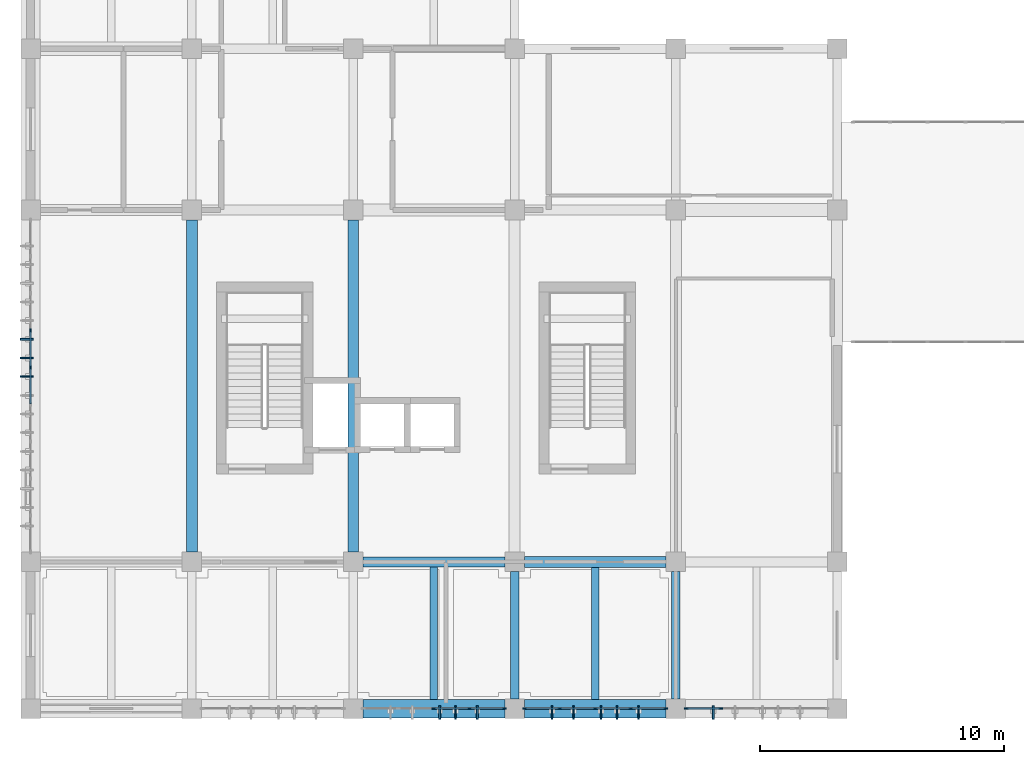
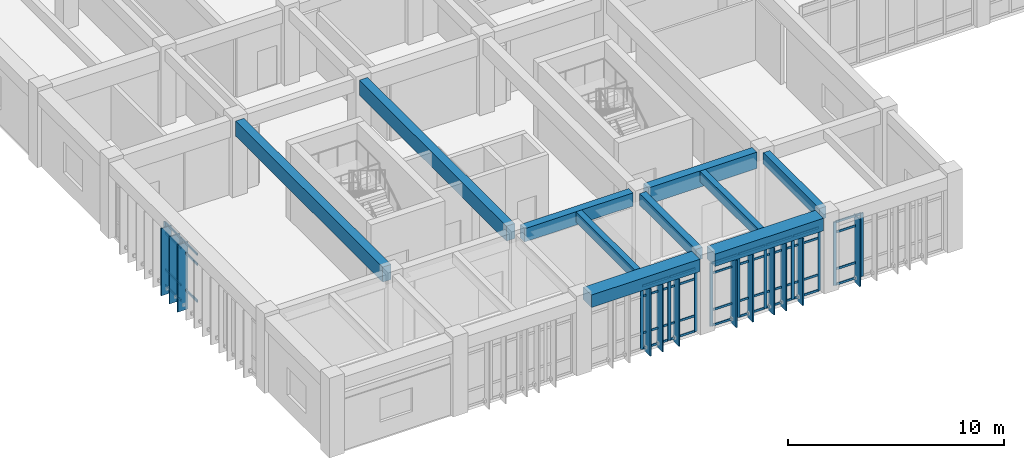
# One storey, part 3 of 54: 59 members, 10 beams, 4 elements without a shape of their own.
"""IFC4 building model written with IfcOpenShell, lengths in metres."""

from ifc_helpers import new_model, si_unit, direction, frame, origin, origin_2d, place, context, subcontext, project, spatial, rectangle, extrude, material, layer, layer_set, material_profile, profile_set, type_object, element, aggregate, save


model = new_model("IFC4")

# Units and contexts
model_context = context("Model", 3, precision=1e-05, world=origin(), true_north=direction((0.0, 1.0)))
body_context = subcontext(model_context, "Body", "Model", "MODEL_VIEW")
ifc_project = project(units=[si_unit("LENGTHUNIT", "METRE"), si_unit("AREAUNIT", "SQUARE_METRE"), si_unit("VOLUMEUNIT", "CUBIC_METRE"), si_unit("PLANEANGLEUNIT", "RADIAN"), si_unit("MASSUNIT", "GRAM", prefix="KILO")], contexts=[model_context])

# Site, building, storey
site_placement = place(None, origin())
site = spatial("IfcSite", under=ifc_project, at=site_placement, CompositionType="ELEMENT")
building_placement = place(site_placement, origin())
building = spatial("IfcBuilding", under=site, at=building_placement, Name="Miralva Faculty of Natural Sciences", CompositionType="ELEMENT")
storey_placement = place(building_placement, frame((0.0, 0.0, 19.5)))
storey = spatial("IfcBuildingStorey", under=building, at=storey_placement, Name="L04", CompositionType="ELEMENT", Elevation=19.5)

# Beams
ifc_material_1 = material(Name="Concrete C40/50", Category="concrete")
ifc_material_profile_1 = material_profile(ifc_material_1, rectangle(XDim=0.449951171875, YDim=0.85009765625, at=origin_2d()), Name="RC 450x850")
ifc_profile_set_1 = profile_set([ifc_material_profile_1], Name="Concrete C40/50")
beam_type_1 = type_object("IfcBeamType", Name="BM-B01", PredefinedType="BEAM", material=ifc_profile_set_1)
for number, where, z_axis, x_axis, name in (
    (1, (9.60009765625, 9.39990234375, 3.85498046875), (0.0, 1.0, 0.0), (-1.0, 0.0, 0.0), "Girder NS L04-47"),
    (2, (16.199951171875, 9.39990234375, 3.85498046875), (0.0, 1.0, 0.0), (-1.0, 0.0, 0.0), "Girder NS L04-57"),
):
    element("IfcBeam", number, at=place(storey_placement, frame(where, z_axis=z_axis, x_axis=x_axis)), inside=storey, type_object=beam_type_1, Name=name, PredefinedType="BEAM", context=body_context, shape_type="SweptSolid", body=[
        extrude(rectangle(XDim=0.449951171875, YDim=0.85009765625, at=origin_2d()), origin(), (0.0, 0.0, 1.0), 13.60009765625),
    ])
ifc_material_profile_2 = material_profile(ifc_material_1, rectangle(XDim=0.39990234375, YDim=0.75, at=origin_2d()), Name="RC 400x750")
ifc_profile_set_2 = profile_set([ifc_material_profile_2], Name="Concrete C40/50")
beam_type_2 = type_object("IfcBeamType", Name="BM-B03", PredefinedType="BEAM", material=ifc_profile_set_2)
beam_1_placement = place(storey_placement, frame((16.60009765625, 9.0, 3.905029296875), z_axis=(1.0, 0.0, 0.0), x_axis=(0.0, 1.0, 0.0)))
element("IfcBeam", 3, at=beam_1_placement, inside=storey, type_object=beam_type_2, Name="Girder EW L04-8", PredefinedType="BEAM", context=body_context, shape_type="SweptSolid", body=[
    extrude(rectangle(XDim=0.39990234375, YDim=0.75, at=origin_2d()), origin(), (0.0, 0.0, 1.0), 5.7998046875),
])
ifc_material_profile_3 = material_profile(ifc_material_1, rectangle(XDim=0.35009765625, YDim=0.64990234375, at=origin_2d()), Name="RC 350x650")
ifc_profile_set_3 = profile_set([ifc_material_profile_3], Name="Concrete C40/50")
beam_type_3 = type_object("IfcBeamType", Name="BM-B05", PredefinedType="BEAM", material=ifc_profile_set_3)
for number, where, z_axis, x_axis, name in (
    (4, (22.800048828125, 3.39990234375, 3.955078125), (0.0, 1.0, 0.0), (-1.0, 0.0, 0.0), "Girder NS L04-59"),
    (5, (29.39990234375, 3.39990234375, 3.955078125), (0.0, 1.0, 0.0), (-1.0, 0.0, 0.0), "Girder NS L04-69"),
):
    element("IfcBeam", number, at=place(storey_placement, frame(where, z_axis=z_axis, x_axis=x_axis)), inside=storey, type_object=beam_type_3, Name=name, PredefinedType="BEAM", context=body_context, shape_type="SweptSolid", body=[
        extrude(rectangle(XDim=0.35009765625, YDim=0.64990234375, at=origin_2d()), origin(), (0.0, 0.0, 1.0), 5.2001953125),
    ])
ifc_material_profile_4 = material_profile(ifc_material_1, rectangle(XDim=0.43994140625, YDim=0.919921875, at=origin_2d()), Name="RC 440x920")
ifc_profile_set_4 = profile_set([ifc_material_profile_4], Name="Concrete C40/50")
beam_type_4 = type_object("IfcBeamType", Name="BM-BG14", PredefinedType="BEAM", material=ifc_profile_set_4)
beam_2_placement = place(storey_placement, frame((23.199951171875, 9.0, 3.820068359375), z_axis=(1.0, 0.0, 0.0), x_axis=(0.0, 1.0, 0.0)))
element("IfcBeam", 6, at=beam_2_placement, inside=storey, type_object=beam_type_4, Name="Girder EW L04-9", PredefinedType="BEAM", context=body_context, shape_type="SweptSolid", body=[
    extrude(rectangle(XDim=0.43994140625, YDim=0.919921875, at=origin_2d()), origin(), (0.0, 0.0, 1.0), 5.800048828125),
])
ifc_material_profile_5 = material_profile(ifc_material_1, rectangle(XDim=0.300048828125, YDim=0.60009765625, at=origin_2d()), Name="RC 300x600")
ifc_profile_set_5 = profile_set([ifc_material_profile_5], Name="Concrete C40/50")
beam_type_5 = type_object("IfcBeamType", Name="BM-J01", PredefinedType="JOIST", material=ifc_profile_set_5)
beam_3_placement = place(storey_placement, frame((19.5, 3.375, 3.97998046875), z_axis=(0.0, 1.0, 0.0), x_axis=(-1.0, 0.0, 0.0)))
element("IfcBeam", 7, at=beam_3_placement, inside=storey, type_object=beam_type_5, Name="Floor joist L04-3", PredefinedType="JOIST", context=body_context, shape_type="SweptSolid", body=[
    extrude(rectangle(XDim=0.300048828125, YDim=0.60009765625, at=origin_2d()), origin(), (0.0, 0.0, 1.0), 5.425048828125),
])
beam_4_placement = place(storey_placement, frame((26.10009765625, 3.375, 3.97998046875), z_axis=(0.0, 1.0, 0.0), x_axis=(-1.0, 0.0, 0.0)))
element("IfcBeam", 8, at=beam_4_placement, inside=storey, type_object=beam_type_5, Name="Floor joist L04-4", PredefinedType="JOIST", context=body_context, shape_type="SweptSolid", body=[
    extrude(rectangle(XDim=0.300048828125, YDim=0.60009765625, at=origin_2d()), origin(), (0.0, 0.0, 1.0), 5.405029296875),
])
ifc_material_profile_6 = material_profile(ifc_material_1, rectangle(XDim=0.75, YDim=0.699951171875, at=origin_2d()), Name="RC 750x700")
ifc_profile_set_6 = profile_set([ifc_material_profile_6], Name="Concrete C40/50")
beam_type_6 = type_object("IfcBeamType", Name="BM-SP01", PredefinedType="SPANDREL", material=ifc_profile_set_6)
beam_5_placement = place(storey_placement, frame((16.60009765625, 3.0, 3.929931640625), z_axis=(1.0, 0.0, 0.0), x_axis=(0.0, 1.0, 0.0)))
element("IfcBeam", 9, at=beam_5_placement, inside=storey, type_object=beam_type_6, Name="Girder EW L04-3", PredefinedType="SPANDREL", context=body_context, shape_type="SweptSolid", body=[
    extrude(rectangle(XDim=0.75, YDim=0.699951171875, at=origin_2d()), origin(), (0.0, 0.0, 1.0), 5.7998046875),
])
beam_6_placement = place(storey_placement, frame((23.199951171875, 3.0, 3.929931640625), z_axis=(1.0, 0.0, 0.0), x_axis=(0.0, 1.0, 0.0)))
element("IfcBeam", 10, at=beam_6_placement, inside=storey, type_object=beam_type_6, Name="Girder EW L04-4", PredefinedType="SPANDREL", context=body_context, shape_type="SweptSolid", body=[
    extrude(rectangle(XDim=0.75, YDim=0.699951171875, at=origin_2d()), origin(), (0.0, 0.0, 1.0), 5.800048828125),
])

# Curtain wall, members
ifc_material_2 = material(Name="Laminated solar-control glass", Category="glass")
ifc_layer = layer(ifc_material_2, 0.179931640625, Name="CW-TWR-L03")
ifc_layer_set = layer_set([ifc_layer], Name="Laminated solar-control glass")
curtain_wall_type = type_object("IfcCurtainWallType", Name="CW-TWR-L03", PredefinedType="USERDEFINED", material=ifc_layer_set)
curtain_wall_1_placement = place(storey_placement, origin())
curtain_wall_1 = element("IfcCurtainWall", 11, at=curtain_wall_1_placement, inside=storey, type_object=curtain_wall_type, Name="Curtain wall CW-14 L04-230", ObjectType="UNITISED CURTAIN WALL", PredefinedType="USERDEFINED")
ifc_material_3 = material(Name="Anodised aluminium", Category="aluminium")
ifc_material_profile_7 = material_profile(ifc_material_3, rectangle(XDim=0.06494140625, YDim=0.159912109375, at=origin_2d()), Name="MULLION 65x160")
ifc_profile_set_7 = profile_set([ifc_material_profile_7], Name="Anodised aluminium")
member_type_1 = type_object("IfcMemberType", Name="CW-M02", PredefinedType="MULLION", material=ifc_profile_set_7)
member_1_placement = place(storey_placement, frame((19.5, 3.0, 0.0), z_axis=(0.0, 0.0, 1.0), x_axis=(0.0, 1.0, 0.0)))
member_1 = element("IfcMember", 12, at=member_1_placement, type_object=member_type_1, Name="CW-14 mullion 3", PredefinedType="MULLION", context=body_context, shape_type="SweptSolid", body=[
    extrude(rectangle(XDim=0.06494140625, YDim=0.159912109375, at=origin_2d()), origin(), (0.0, 0.0, 1.0), 3.574951171875),
])
member_2_placement = place(storey_placement, frame((20.95751953125, 3.0, 0.0), z_axis=(0.0, 0.0, 1.0), x_axis=(0.0, 1.0, 0.0)))
member_2 = element("IfcMember", 13, at=member_2_placement, type_object=member_type_1, Name="CW-14 mullion 4", PredefinedType="MULLION", context=body_context, shape_type="SweptSolid", body=[
    extrude(rectangle(XDim=0.06494140625, YDim=0.159912109375, at=origin_2d()), origin(), (0.0, 0.0, 1.0), 3.574951171875),
])
member_3_placement = place(storey_placement, frame((22.382568359375, 3.0, 0.0), z_axis=(0.0, 0.0, 1.0), x_axis=(0.0, 1.0, 0.0)))
member_3 = element("IfcMember", 14, at=member_3_placement, type_object=member_type_1, Name="CW-14 mullion 5", PredefinedType="MULLION", context=body_context, shape_type="SweptSolid", body=[
    extrude(rectangle(XDim=0.06494140625, YDim=0.159912109375, at=origin_2d()), origin(), (0.0, 0.0, 1.0), 3.574951171875),
])

curtain_wall_2_placement = place(storey_placement, origin())
curtain_wall_2 = element("IfcCurtainWall", 15, at=curtain_wall_2_placement, inside=storey, type_object=curtain_wall_type, Name="Curtain wall CW-14 L04-231", ObjectType="UNITISED CURTAIN WALL", PredefinedType="USERDEFINED")
member_4_placement = place(storey_placement, frame((23.217529296875, 3.0, 0.0), z_axis=(0.0, 0.0, 1.0), x_axis=(0.0, 1.0, 0.0)))
member_4 = element("IfcMember", 16, at=member_4_placement, type_object=member_type_1, Name="CW-14 mullion 1", PredefinedType="MULLION", context=body_context, shape_type="SweptSolid", body=[
    extrude(rectangle(XDim=0.06494140625, YDim=0.159912109375, at=origin_2d()), origin(), (0.0, 0.0, 1.0), 3.574951171875),
])
member_5_placement = place(storey_placement, frame((24.642578125, 3.0, 0.0), z_axis=(0.0, 0.0, 1.0), x_axis=(0.0, 1.0, 0.0)))
member_5 = element("IfcMember", 17, at=member_5_placement, type_object=member_type_1, Name="CW-14 mullion 2", PredefinedType="MULLION", context=body_context, shape_type="SweptSolid", body=[
    extrude(rectangle(XDim=0.06494140625, YDim=0.159912109375, at=origin_2d()), origin(), (0.0, 0.0, 1.0), 3.574951171875),
])
member_6_placement = place(storey_placement, frame((26.10009765625, 3.0, 0.0), z_axis=(0.0, 0.0, 1.0), x_axis=(0.0, 1.0, 0.0)))
member_6 = element("IfcMember", 18, at=member_6_placement, type_object=member_type_1, Name="CW-14 mullion 3", PredefinedType="MULLION", context=body_context, shape_type="SweptSolid", body=[
    extrude(rectangle(XDim=0.06494140625, YDim=0.159912109375, at=origin_2d()), origin(), (0.0, 0.0, 1.0), 3.574951171875),
])
member_7_placement = place(storey_placement, frame((27.5576171875, 3.0, 0.0), z_axis=(0.0, 0.0, 1.0), x_axis=(0.0, 1.0, 0.0)))
member_7 = element("IfcMember", 19, at=member_7_placement, type_object=member_type_1, Name="CW-14 mullion 4", PredefinedType="MULLION", context=body_context, shape_type="SweptSolid", body=[
    extrude(rectangle(XDim=0.06494140625, YDim=0.159912109375, at=origin_2d()), origin(), (0.0, 0.0, 1.0), 3.574951171875),
])
member_8_placement = place(storey_placement, frame((28.982421875, 3.0, 0.0), z_axis=(0.0, 0.0, 1.0), x_axis=(0.0, 1.0, 0.0)))
member_8 = element("IfcMember", 20, at=member_8_placement, type_object=member_type_1, Name="CW-14 mullion 5", PredefinedType="MULLION", context=body_context, shape_type="SweptSolid", body=[
    extrude(rectangle(XDim=0.06494140625, YDim=0.159912109375, at=origin_2d()), origin(), (0.0, 0.0, 1.0), 3.574951171875),
])

curtain_wall_3_placement = place(storey_placement, origin())
curtain_wall_3 = element("IfcCurtainWall", 21, at=curtain_wall_3_placement, inside=storey, type_object=curtain_wall_type, Name="Curtain wall CW-14 L04-232", ObjectType="UNITISED CURTAIN WALL", PredefinedType="USERDEFINED")
member_9_placement = place(storey_placement, frame((29.8173828125, 3.0, 0.0), z_axis=(0.0, 0.0, 1.0), x_axis=(0.0, 1.0, 0.0)))
member_9 = element("IfcMember", 22, at=member_9_placement, type_object=member_type_1, Name="CW-14 mullion 1", PredefinedType="MULLION", context=body_context, shape_type="SweptSolid", body=[
    extrude(rectangle(XDim=0.06494140625, YDim=0.159912109375, at=origin_2d()), origin(), (0.0, 0.0, 1.0), 3.574951171875),
])
member_10_placement = place(storey_placement, frame((31.242431640625, 3.0, 0.0), z_axis=(0.0, 0.0, 1.0), x_axis=(0.0, 1.0, 0.0)))
member_10 = element("IfcMember", 23, at=member_10_placement, type_object=member_type_1, Name="CW-14 mullion 2", PredefinedType="MULLION", context=body_context, shape_type="SweptSolid", body=[
    extrude(rectangle(XDim=0.06494140625, YDim=0.159912109375, at=origin_2d()), origin(), (0.0, 0.0, 1.0), 3.574951171875),
])

curtain_wall_4_placement = place(storey_placement, origin())
curtain_wall_4 = element("IfcCurtainWall", 24, at=curtain_wall_4_placement, inside=storey, type_object=curtain_wall_type, Name="Curtain wall CW-14 L04-233", ObjectType="UNITISED CURTAIN WALL", PredefinedType="USERDEFINED")
member_11_placement = place(storey_placement, frame((3.0, 16.957275390625, 0.0), z_axis=(0.0, 0.0, 1.0), x_axis=(-1.0, 0.0, 0.0)))
member_11 = element("IfcMember", 25, at=member_11_placement, type_object=member_type_1, Name="CW-14 mullion 6", PredefinedType="MULLION", context=body_context, shape_type="SweptSolid", body=[
    extrude(rectangle(XDim=0.06494140625, YDim=0.159912109375, at=origin_2d()), origin(), (0.0, 0.0, 1.0), 3.574951171875),
])
member_12_placement = place(storey_placement, frame((3.0, 18.4716796875, 0.0), z_axis=(0.0, 0.0, 1.0), x_axis=(-1.0, 0.0, 0.0)))
member_12 = element("IfcMember", 26, at=member_12_placement, type_object=member_type_1, Name="CW-14 mullion 7", PredefinedType="MULLION", context=body_context, shape_type="SweptSolid", body=[
    extrude(rectangle(XDim=0.06494140625, YDim=0.159912109375, at=origin_2d()), origin(), (0.0, 0.0, 1.0), 3.574951171875),
])

# Member
ifc_material_profile_8 = material_profile(ifc_material_3, rectangle(XDim=0.06005859375, YDim=0.1201171875, at=origin_2d()), Name="TRANSOM 60x120")
ifc_profile_set_8 = profile_set([ifc_material_profile_8], Name="Anodised aluminium")
member_type_2 = type_object("IfcMemberType", Name="CW-T02", PredefinedType="USERDEFINED", material=ifc_profile_set_8)
member_13_placement = place(storey_placement, frame((19.532470703125, 3.0, 0.030029296875), z_axis=(1.0, 0.0, 0.0), x_axis=(0.0, 1.0, 0.0)))
member_13 = element("IfcMember", 27, at=member_13_placement, type_object=member_type_2, Name="CW-14 transom 3.1", ObjectType="TRANSOM", PredefinedType="USERDEFINED", context=body_context, shape_type="SweptSolid", body=[
    extrude(rectangle(XDim=0.06005859375, YDim=0.1201171875, at=origin_2d()), origin(), (0.0, 0.0, 1.0), 1.392578125),
])

member_14_placement = place(storey_placement, frame((19.532470703125, 3.0, 0.89990234375), z_axis=(1.0, 0.0, 0.0), x_axis=(0.0, 1.0, 0.0)))
member_14 = element("IfcMember", 28, at=member_14_placement, type_object=member_type_2, Name="CW-14 transom 3.2", ObjectType="TRANSOM", PredefinedType="USERDEFINED", context=body_context, shape_type="SweptSolid", body=[
    extrude(rectangle(XDim=0.06005859375, YDim=0.1201171875, at=origin_2d()), origin(), (0.0, 0.0, 1.0), 1.392578125),
])

member_15_placement = place(storey_placement, frame((19.532470703125, 3.0, 2.97509765625), z_axis=(1.0, 0.0, 0.0), x_axis=(0.0, 1.0, 0.0)))
member_15 = element("IfcMember", 29, at=member_15_placement, type_object=member_type_2, Name="CW-14 transom 3.3", ObjectType="TRANSOM", PredefinedType="USERDEFINED", context=body_context, shape_type="SweptSolid", body=[
    extrude(rectangle(XDim=0.06005859375, YDim=0.1201171875, at=origin_2d()), origin(), (0.0, 0.0, 1.0), 1.392578125),
])

member_16_placement = place(storey_placement, frame((19.532470703125, 3.0, 3.544921875), z_axis=(1.0, 0.0, 0.0), x_axis=(0.0, 1.0, 0.0)))
member_16 = element("IfcMember", 30, at=member_16_placement, type_object=member_type_2, Name="CW-14 transom 3.4", ObjectType="TRANSOM", PredefinedType="USERDEFINED", context=body_context, shape_type="SweptSolid", body=[
    extrude(rectangle(XDim=0.06005859375, YDim=0.1201171875, at=origin_2d()), origin(), (0.0, 0.0, 1.0), 1.392578125),
])

member_17_placement = place(storey_placement, frame((20.989990234375, 3.0, 0.030029296875), z_axis=(1.0, 0.0, 0.0), x_axis=(0.0, 1.0, 0.0)))
member_17 = element("IfcMember", 31, at=member_17_placement, type_object=member_type_2, Name="CW-14 transom 4.1", ObjectType="TRANSOM", PredefinedType="USERDEFINED", context=body_context, shape_type="SweptSolid", body=[
    extrude(rectangle(XDim=0.06005859375, YDim=0.1201171875, at=origin_2d()), origin(), (0.0, 0.0, 1.0), 1.360107421875),
])

member_18_placement = place(storey_placement, frame((20.989990234375, 3.0, 0.89990234375), z_axis=(1.0, 0.0, 0.0), x_axis=(0.0, 1.0, 0.0)))
member_18 = element("IfcMember", 32, at=member_18_placement, type_object=member_type_2, Name="CW-14 transom 4.2", ObjectType="TRANSOM", PredefinedType="USERDEFINED", context=body_context, shape_type="SweptSolid", body=[
    extrude(rectangle(XDim=0.06005859375, YDim=0.1201171875, at=origin_2d()), origin(), (0.0, 0.0, 1.0), 1.360107421875),
])

member_19_placement = place(storey_placement, frame((20.989990234375, 3.0, 2.97509765625), z_axis=(1.0, 0.0, 0.0), x_axis=(0.0, 1.0, 0.0)))
member_19 = element("IfcMember", 33, at=member_19_placement, type_object=member_type_2, Name="CW-14 transom 4.3", ObjectType="TRANSOM", PredefinedType="USERDEFINED", context=body_context, shape_type="SweptSolid", body=[
    extrude(rectangle(XDim=0.06005859375, YDim=0.1201171875, at=origin_2d()), origin(), (0.0, 0.0, 1.0), 1.360107421875),
])

member_20_placement = place(storey_placement, frame((20.989990234375, 3.0, 3.544921875), z_axis=(1.0, 0.0, 0.0), x_axis=(0.0, 1.0, 0.0)))
member_20 = element("IfcMember", 34, at=member_20_placement, type_object=member_type_2, Name="CW-14 transom 4.4", ObjectType="TRANSOM", PredefinedType="USERDEFINED", context=body_context, shape_type="SweptSolid", body=[
    extrude(rectangle(XDim=0.06005859375, YDim=0.1201171875, at=origin_2d()), origin(), (0.0, 0.0, 1.0), 1.360107421875),
])

aggregate(curtain_wall_1, [member_1, member_2, member_3, member_13, member_14, member_15, member_16, member_17, member_18, member_19, member_20])

member_21_placement = place(storey_placement, frame((23.25, 3.0, 0.030029296875), z_axis=(1.0, 0.0, 0.0), x_axis=(0.0, 1.0, 0.0)))
member_21 = element("IfcMember", 35, at=member_21_placement, type_object=member_type_2, Name="CW-14 transom 1.1", ObjectType="TRANSOM", PredefinedType="USERDEFINED", context=body_context, shape_type="SweptSolid", body=[
    extrude(rectangle(XDim=0.06005859375, YDim=0.1201171875, at=origin_2d()), origin(), (0.0, 0.0, 1.0), 1.360107421875),
])

member_22_placement = place(storey_placement, frame((23.25, 3.0, 0.89990234375), z_axis=(1.0, 0.0, 0.0), x_axis=(0.0, 1.0, 0.0)))
member_22 = element("IfcMember", 36, at=member_22_placement, type_object=member_type_2, Name="CW-14 transom 1.2", ObjectType="TRANSOM", PredefinedType="USERDEFINED", context=body_context, shape_type="SweptSolid", body=[
    extrude(rectangle(XDim=0.06005859375, YDim=0.1201171875, at=origin_2d()), origin(), (0.0, 0.0, 1.0), 1.360107421875),
])

member_23_placement = place(storey_placement, frame((23.25, 3.0, 2.97509765625), z_axis=(1.0, 0.0, 0.0), x_axis=(0.0, 1.0, 0.0)))
member_23 = element("IfcMember", 37, at=member_23_placement, type_object=member_type_2, Name="CW-14 transom 1.3", ObjectType="TRANSOM", PredefinedType="USERDEFINED", context=body_context, shape_type="SweptSolid", body=[
    extrude(rectangle(XDim=0.06005859375, YDim=0.1201171875, at=origin_2d()), origin(), (0.0, 0.0, 1.0), 1.360107421875),
])

member_24_placement = place(storey_placement, frame((23.25, 3.0, 3.544921875), z_axis=(1.0, 0.0, 0.0), x_axis=(0.0, 1.0, 0.0)))
member_24 = element("IfcMember", 38, at=member_24_placement, type_object=member_type_2, Name="CW-14 transom 1.4", ObjectType="TRANSOM", PredefinedType="USERDEFINED", context=body_context, shape_type="SweptSolid", body=[
    extrude(rectangle(XDim=0.06005859375, YDim=0.1201171875, at=origin_2d()), origin(), (0.0, 0.0, 1.0), 1.360107421875),
])

member_25_placement = place(storey_placement, frame((24.675048828125, 3.0, 0.030029296875), z_axis=(1.0, 0.0, 0.0), x_axis=(0.0, 1.0, 0.0)))
member_25 = element("IfcMember", 39, at=member_25_placement, type_object=member_type_2, Name="CW-14 transom 2.1", ObjectType="TRANSOM", PredefinedType="USERDEFINED", context=body_context, shape_type="SweptSolid", body=[
    extrude(rectangle(XDim=0.06005859375, YDim=0.1201171875, at=origin_2d()), origin(), (0.0, 0.0, 1.0), 1.392333984375),
])

member_26_placement = place(storey_placement, frame((24.675048828125, 3.0, 0.89990234375), z_axis=(1.0, 0.0, 0.0), x_axis=(0.0, 1.0, 0.0)))
member_26 = element("IfcMember", 40, at=member_26_placement, type_object=member_type_2, Name="CW-14 transom 2.2", ObjectType="TRANSOM", PredefinedType="USERDEFINED", context=body_context, shape_type="SweptSolid", body=[
    extrude(rectangle(XDim=0.06005859375, YDim=0.1201171875, at=origin_2d()), origin(), (0.0, 0.0, 1.0), 1.392333984375),
])

member_27_placement = place(storey_placement, frame((24.675048828125, 3.0, 2.97509765625), z_axis=(1.0, 0.0, 0.0), x_axis=(0.0, 1.0, 0.0)))
member_27 = element("IfcMember", 41, at=member_27_placement, type_object=member_type_2, Name="CW-14 transom 2.3", ObjectType="TRANSOM", PredefinedType="USERDEFINED", context=body_context, shape_type="SweptSolid", body=[
    extrude(rectangle(XDim=0.06005859375, YDim=0.1201171875, at=origin_2d()), origin(), (0.0, 0.0, 1.0), 1.392333984375),
])

member_28_placement = place(storey_placement, frame((24.675048828125, 3.0, 3.544921875), z_axis=(1.0, 0.0, 0.0), x_axis=(0.0, 1.0, 0.0)))
member_28 = element("IfcMember", 42, at=member_28_placement, type_object=member_type_2, Name="CW-14 transom 2.4", ObjectType="TRANSOM", PredefinedType="USERDEFINED", context=body_context, shape_type="SweptSolid", body=[
    extrude(rectangle(XDim=0.06005859375, YDim=0.1201171875, at=origin_2d()), origin(), (0.0, 0.0, 1.0), 1.392333984375),
])

member_29_placement = place(storey_placement, frame((26.132568359375, 3.0, 0.030029296875), z_axis=(1.0, 0.0, 0.0), x_axis=(0.0, 1.0, 0.0)))
member_29 = element("IfcMember", 43, at=member_29_placement, type_object=member_type_2, Name="CW-14 transom 3.1", ObjectType="TRANSOM", PredefinedType="USERDEFINED", context=body_context, shape_type="SweptSolid", body=[
    extrude(rectangle(XDim=0.06005859375, YDim=0.1201171875, at=origin_2d()), origin(), (0.0, 0.0, 1.0), 1.392333984375),
])

member_30_placement = place(storey_placement, frame((26.132568359375, 3.0, 0.89990234375), z_axis=(1.0, 0.0, 0.0), x_axis=(0.0, 1.0, 0.0)))
member_30 = element("IfcMember", 44, at=member_30_placement, type_object=member_type_2, Name="CW-14 transom 3.2", ObjectType="TRANSOM", PredefinedType="USERDEFINED", context=body_context, shape_type="SweptSolid", body=[
    extrude(rectangle(XDim=0.06005859375, YDim=0.1201171875, at=origin_2d()), origin(), (0.0, 0.0, 1.0), 1.392333984375),
])

member_31_placement = place(storey_placement, frame((26.132568359375, 3.0, 2.97509765625), z_axis=(1.0, 0.0, 0.0), x_axis=(0.0, 1.0, 0.0)))
member_31 = element("IfcMember", 45, at=member_31_placement, type_object=member_type_2, Name="CW-14 transom 3.3", ObjectType="TRANSOM", PredefinedType="USERDEFINED", context=body_context, shape_type="SweptSolid", body=[
    extrude(rectangle(XDim=0.06005859375, YDim=0.1201171875, at=origin_2d()), origin(), (0.0, 0.0, 1.0), 1.392333984375),
])

member_32_placement = place(storey_placement, frame((26.132568359375, 3.0, 3.544921875), z_axis=(1.0, 0.0, 0.0), x_axis=(0.0, 1.0, 0.0)))
member_32 = element("IfcMember", 46, at=member_32_placement, type_object=member_type_2, Name="CW-14 transom 3.4", ObjectType="TRANSOM", PredefinedType="USERDEFINED", context=body_context, shape_type="SweptSolid", body=[
    extrude(rectangle(XDim=0.06005859375, YDim=0.1201171875, at=origin_2d()), origin(), (0.0, 0.0, 1.0), 1.392333984375),
])

member_33_placement = place(storey_placement, frame((27.590087890625, 3.0, 0.030029296875), z_axis=(1.0, 0.0, 0.0), x_axis=(0.0, 1.0, 0.0)))
member_33 = element("IfcMember", 47, at=member_33_placement, type_object=member_type_2, Name="CW-14 transom 4.1", ObjectType="TRANSOM", PredefinedType="USERDEFINED", context=body_context, shape_type="SweptSolid", body=[
    extrude(rectangle(XDim=0.06005859375, YDim=0.1201171875, at=origin_2d()), origin(), (0.0, 0.0, 1.0), 1.35986328125),
])

member_34_placement = place(storey_placement, frame((27.590087890625, 3.0, 0.89990234375), z_axis=(1.0, 0.0, 0.0), x_axis=(0.0, 1.0, 0.0)))
member_34 = element("IfcMember", 48, at=member_34_placement, type_object=member_type_2, Name="CW-14 transom 4.2", ObjectType="TRANSOM", PredefinedType="USERDEFINED", context=body_context, shape_type="SweptSolid", body=[
    extrude(rectangle(XDim=0.06005859375, YDim=0.1201171875, at=origin_2d()), origin(), (0.0, 0.0, 1.0), 1.35986328125),
])

member_35_placement = place(storey_placement, frame((27.590087890625, 3.0, 2.97509765625), z_axis=(1.0, 0.0, 0.0), x_axis=(0.0, 1.0, 0.0)))
member_35 = element("IfcMember", 49, at=member_35_placement, type_object=member_type_2, Name="CW-14 transom 4.3", ObjectType="TRANSOM", PredefinedType="USERDEFINED", context=body_context, shape_type="SweptSolid", body=[
    extrude(rectangle(XDim=0.06005859375, YDim=0.1201171875, at=origin_2d()), origin(), (0.0, 0.0, 1.0), 1.35986328125),
])

member_36_placement = place(storey_placement, frame((27.590087890625, 3.0, 3.544921875), z_axis=(1.0, 0.0, 0.0), x_axis=(0.0, 1.0, 0.0)))
member_36 = element("IfcMember", 50, at=member_36_placement, type_object=member_type_2, Name="CW-14 transom 4.4", ObjectType="TRANSOM", PredefinedType="USERDEFINED", context=body_context, shape_type="SweptSolid", body=[
    extrude(rectangle(XDim=0.06005859375, YDim=0.1201171875, at=origin_2d()), origin(), (0.0, 0.0, 1.0), 1.35986328125),
])

aggregate(curtain_wall_2, [member_4, member_5, member_6, member_7, member_8, member_21, member_22, member_23, member_24, member_25, member_26, member_27, member_28, member_29, member_30, member_31, member_32, member_33, member_34, member_35, member_36])

member_37_placement = place(storey_placement, frame((29.85009765625, 3.0, 0.030029296875), z_axis=(1.0, 0.0, 0.0), x_axis=(0.0, 1.0, 0.0)))
member_37 = element("IfcMember", 51, at=member_37_placement, type_object=member_type_2, Name="CW-14 transom 1.1", ObjectType="TRANSOM", PredefinedType="USERDEFINED", context=body_context, shape_type="SweptSolid", body=[
    extrude(rectangle(XDim=0.06005859375, YDim=0.1201171875, at=origin_2d()), origin(), (0.0, 0.0, 1.0), 1.35986328125),
])

member_38_placement = place(storey_placement, frame((29.85009765625, 3.0, 0.89990234375), z_axis=(1.0, 0.0, 0.0), x_axis=(0.0, 1.0, 0.0)))
member_38 = element("IfcMember", 52, at=member_38_placement, type_object=member_type_2, Name="CW-14 transom 1.2", ObjectType="TRANSOM", PredefinedType="USERDEFINED", context=body_context, shape_type="SweptSolid", body=[
    extrude(rectangle(XDim=0.06005859375, YDim=0.1201171875, at=origin_2d()), origin(), (0.0, 0.0, 1.0), 1.35986328125),
])

member_39_placement = place(storey_placement, frame((29.85009765625, 3.0, 2.97509765625), z_axis=(1.0, 0.0, 0.0), x_axis=(0.0, 1.0, 0.0)))
member_39 = element("IfcMember", 53, at=member_39_placement, type_object=member_type_2, Name="CW-14 transom 1.3", ObjectType="TRANSOM", PredefinedType="USERDEFINED", context=body_context, shape_type="SweptSolid", body=[
    extrude(rectangle(XDim=0.06005859375, YDim=0.1201171875, at=origin_2d()), origin(), (0.0, 0.0, 1.0), 1.35986328125),
])

member_40_placement = place(storey_placement, frame((29.85009765625, 3.0, 3.544921875), z_axis=(1.0, 0.0, 0.0), x_axis=(0.0, 1.0, 0.0)))
member_40 = element("IfcMember", 54, at=member_40_placement, type_object=member_type_2, Name="CW-14 transom 1.4", ObjectType="TRANSOM", PredefinedType="USERDEFINED", context=body_context, shape_type="SweptSolid", body=[
    extrude(rectangle(XDim=0.06005859375, YDim=0.1201171875, at=origin_2d()), origin(), (0.0, 0.0, 1.0), 1.35986328125),
])

aggregate(curtain_wall_3, [member_9, member_10, member_37, member_38, member_39, member_40])

member_41_placement = place(storey_placement, frame((3.0, 15.475341796875, 0.89990234375), z_axis=(0.0, 1.0, 0.0), x_axis=(-1.0, 0.0, 0.0)))
member_41 = element("IfcMember", 55, at=member_41_placement, type_object=member_type_2, Name="CW-14 transom 5.2", ObjectType="TRANSOM", PredefinedType="USERDEFINED", context=body_context, shape_type="SweptSolid", body=[
    extrude(rectangle(XDim=0.06005859375, YDim=0.1201171875, at=origin_2d()), origin(), (0.0, 0.0, 1.0), 1.449462890625),
])

member_42_placement = place(storey_placement, frame((3.0, 15.475341796875, 2.97509765625), z_axis=(0.0, 1.0, 0.0), x_axis=(-1.0, 0.0, 0.0)))
member_42 = element("IfcMember", 56, at=member_42_placement, type_object=member_type_2, Name="CW-14 transom 5.3", ObjectType="TRANSOM", PredefinedType="USERDEFINED", context=body_context, shape_type="SweptSolid", body=[
    extrude(rectangle(XDim=0.06005859375, YDim=0.1201171875, at=origin_2d()), origin(), (0.0, 0.0, 1.0), 1.449462890625),
])

member_43_placement = place(storey_placement, frame((3.0, 15.475341796875, 3.544921875), z_axis=(0.0, 1.0, 0.0), x_axis=(-1.0, 0.0, 0.0)))
member_43 = element("IfcMember", 57, at=member_43_placement, type_object=member_type_2, Name="CW-14 transom 5.4", ObjectType="TRANSOM", PredefinedType="USERDEFINED", context=body_context, shape_type="SweptSolid", body=[
    extrude(rectangle(XDim=0.06005859375, YDim=0.1201171875, at=origin_2d()), origin(), (0.0, 0.0, 1.0), 1.449462890625),
])

member_44_placement = place(storey_placement, frame((3.0, 16.98974609375, 0.030029296875), z_axis=(0.0, 1.0, 0.0), x_axis=(-1.0, 0.0, 0.0)))
member_44 = element("IfcMember", 58, at=member_44_placement, type_object=member_type_2, Name="CW-14 transom 6.1", ObjectType="TRANSOM", PredefinedType="USERDEFINED", context=body_context, shape_type="SweptSolid", body=[
    extrude(rectangle(XDim=0.06005859375, YDim=0.1201171875, at=origin_2d()), origin(), (0.0, 0.0, 1.0), 1.449462890625),
])

member_45_placement = place(storey_placement, frame((3.0, 16.98974609375, 0.89990234375), z_axis=(0.0, 1.0, 0.0), x_axis=(-1.0, 0.0, 0.0)))
member_45 = element("IfcMember", 59, at=member_45_placement, type_object=member_type_2, Name="CW-14 transom 6.2", ObjectType="TRANSOM", PredefinedType="USERDEFINED", context=body_context, shape_type="SweptSolid", body=[
    extrude(rectangle(XDim=0.06005859375, YDim=0.1201171875, at=origin_2d()), origin(), (0.0, 0.0, 1.0), 1.449462890625),
])

member_46_placement = place(storey_placement, frame((3.0, 16.98974609375, 2.97509765625), z_axis=(0.0, 1.0, 0.0), x_axis=(-1.0, 0.0, 0.0)))
member_46 = element("IfcMember", 60, at=member_46_placement, type_object=member_type_2, Name="CW-14 transom 6.3", ObjectType="TRANSOM", PredefinedType="USERDEFINED", context=body_context, shape_type="SweptSolid", body=[
    extrude(rectangle(XDim=0.06005859375, YDim=0.1201171875, at=origin_2d()), origin(), (0.0, 0.0, 1.0), 1.449462890625),
])

member_47_placement = place(storey_placement, frame((3.0, 16.98974609375, 3.544921875), z_axis=(0.0, 1.0, 0.0), x_axis=(-1.0, 0.0, 0.0)))
member_47 = element("IfcMember", 61, at=member_47_placement, type_object=member_type_2, Name="CW-14 transom 6.4", ObjectType="TRANSOM", PredefinedType="USERDEFINED", context=body_context, shape_type="SweptSolid", body=[
    extrude(rectangle(XDim=0.06005859375, YDim=0.1201171875, at=origin_2d()), origin(), (0.0, 0.0, 1.0), 1.449462890625),
])

aggregate(curtain_wall_4, [member_11, member_12, member_41, member_42, member_43, member_44, member_45, member_46, member_47])

# Members
ifc_material_profile_9 = material_profile(ifc_material_3, rectangle(XDim=0.06494140625, YDim=0.550048828125, at=origin_2d()), Name="FIN 550x65")
ifc_profile_set_9 = profile_set([ifc_material_profile_9], Name="Anodised aluminium")
member_type_3 = type_object("IfcMemberType", Name="MEM-SF03", PredefinedType="USERDEFINED", material=ifc_profile_set_9)
for number, where, z_axis, x_axis, name in (
    (62, (19.739990234375, 2.840087890625, -0.219970703125), (0.0, 0.0, 1.0), (1.0, 0.0, 0.0), "Solar shading fin SF-03 L04-304"),
    (63, (20.385986328125, 2.840087890625, -0.219970703125), (0.0, 0.0, 1.0), (1.0, 0.0, 0.0), "Solar shading fin SF-03 L04-305"),
    (64, (21.27197265625, 2.840087890625, -0.219970703125), (0.0, 0.0, 1.0), (1.0, 0.0, 0.0), "Solar shading fin SF-03 L04-306"),
    (65, (24.327880859375, 2.840087890625, -0.219970703125), (0.0, 0.0, 1.0), (1.0, 0.0, 0.0), "Solar shading fin SF-03 L04-307"),
    (66, (25.214111328125, 2.840087890625, -0.219970703125), (0.0, 0.0, 1.0), (1.0, 0.0, 0.0), "Solar shading fin SF-03 L04-308"),
    (67, (26.340087890625, 2.840087890625, -0.219970703125), (0.0, 0.0, 1.0), (1.0, 0.0, 0.0), "Solar shading fin SF-03 L04-309"),
    (68, (26.986083984375, 2.840087890625, -0.219970703125), (0.0, 0.0, 1.0), (1.0, 0.0, 0.0), "Solar shading fin SF-03 L04-310"),
    (69, (27.8720703125, 2.840087890625, -0.219970703125), (0.0, 0.0, 1.0), (1.0, 0.0, 0.0), "Solar shading fin SF-03 L04-311"),
    (70, (30.927978515625, 2.840087890625, -0.219970703125), (0.0, 0.0, 1.0), (1.0, 0.0, 0.0), "Solar shading fin SF-03 L04-312"),
    (71, (2.840087890625, 16.582275390625, -0.219970703125), (0.0, 0.0, 1.0), (0.0, -1.0, 0.0), "Solar shading fin SF-03 L04-325"),
    (72, (2.840087890625, 17.3466796875, -0.219970703125), (0.0, 0.0, 1.0), (0.0, -1.0, 0.0), "Solar shading fin SF-03 L04-326"),
    (73, (2.840087890625, 18.11083984375, -0.219970703125), (0.0, 0.0, 1.0), (0.0, -1.0, 0.0), "Solar shading fin SF-03 L04-327"),
):
    element("IfcMember", number, at=place(storey_placement, frame(where, z_axis=z_axis, x_axis=x_axis)), inside=storey, type_object=member_type_3, Name=name, ObjectType="SUNSHADE", PredefinedType="USERDEFINED", context=body_context, shape_type="SweptSolid", body=[
        extrude(rectangle(XDim=0.06494140625, YDim=0.550048828125, at=origin_2d()), origin(), (0.0, 0.0, 1.0), 3.794921875),
    ])

save(model, "model.ifc")
